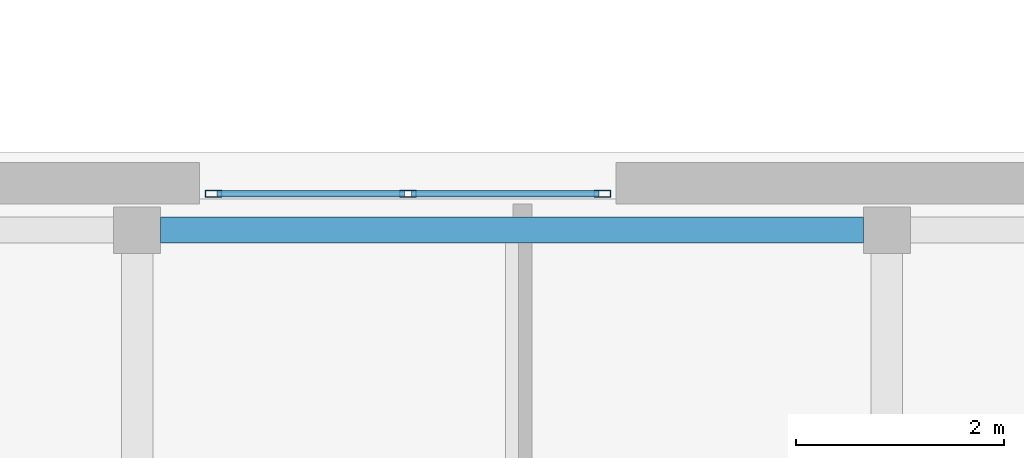
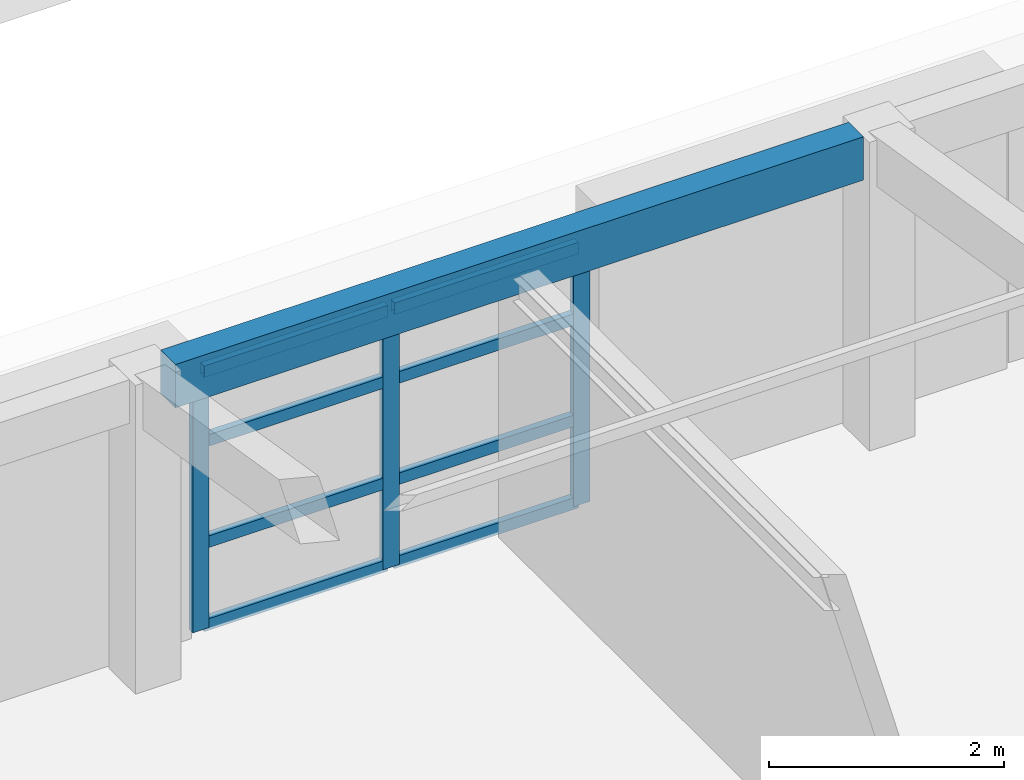
# One storey, part 5 of 128: 11 members, 1 beam, 1 element without a shape of its own.
"""IFC4 building model written with IfcOpenShell, lengths in metres."""

from ifc_helpers import new_model, si_unit, direction, frame, origin, origin_2d, place, context, subcontext, project, spatial, rectangle, hollow_rectangle, extrude, material, layer, layer_set, material_profile, profile_set, type_object, element, aggregate, save


model = new_model("IFC4")

# Units and contexts
model_context = context("Model", 3, precision=1e-05, world=origin(), true_north=direction((0.0, 1.0)))
body_context = subcontext(model_context, "Body", "Model", "MODEL_VIEW")
ifc_project = project(units=[si_unit("LENGTHUNIT", "METRE"), si_unit("AREAUNIT", "SQUARE_METRE"), si_unit("VOLUMEUNIT", "CUBIC_METRE"), si_unit("PLANEANGLEUNIT", "RADIAN"), si_unit("MASSUNIT", "GRAM", prefix="KILO")], contexts=[model_context])

# Site, building, storey
site_placement = place(None, origin())
site = spatial("IfcSite", under=ifc_project, at=site_placement, CompositionType="ELEMENT")
building_placement = place(site_placement, origin())
building = spatial("IfcBuilding", under=site, at=building_placement, Name="Keldmere Railside Commons", CompositionType="ELEMENT")
storey_placement = place(building_placement, frame((0.0, 0.0, 4.159912109375)))
storey = spatial("IfcBuildingStorey", under=building, at=storey_placement, Name="L01", CompositionType="ELEMENT", Elevation=4.159912109375)

# Beam
ifc_material_1 = material(Name="Architectural Precast Concrete H-35 (C35/45)", Category="concrete")
ifc_material_profile_1 = material_profile(ifc_material_1, rectangle(XDim=0.25, YDim=0.449951171875, at=origin_2d()), Name="RC-250x450")
ifc_profile_set_1 = profile_set([ifc_material_profile_1], Name="Architectural Precast Concrete H-35 (C35/45)")
beam_type = type_object("IfcBeamType", Name="Perimeter Precast Spandrel Beam 250x450", PredefinedType="SPANDREL", material=ifc_profile_set_1)
beam_placement = place(storey_placement, frame((17.02490234375, 39.550048828125, 2.97509765625), z_axis=(1.0, 0.0, 0.0), x_axis=(0.0, 1.0, 0.0)))
element("IfcBeam", 1, at=beam_placement, inside=storey, type_object=beam_type, Name="SPB-1 BM-L01-0771", PredefinedType="SPANDREL", context=body_context, shape_type="SweptSolid", body=[
    extrude(rectangle(XDim=0.25, YDim=0.449951171875, at=origin_2d()), origin(), (0.0, 0.0, 1.0), 6.75),
])

# Curtain wall, members
ifc_material_2 = material(Name="Thermally Broken Aluminium", Category="aluminium")
ifc_layer = layer(ifc_material_2, 0.159912109375, Name="Nursery Upper Sunroom CW 3800x2700")
ifc_layer_set = layer_set([ifc_layer], Name="Thermally Broken Aluminium")
curtain_wall_type = type_object("IfcCurtainWallType", Name="Nursery Upper Sunroom CW 3800x2700", PredefinedType="NOTDEFINED", material=ifc_layer_set)
curtain_wall_placement = place(storey_placement, origin())
curtain_wall = element("IfcCurtainWall", 2, at=curtain_wall_placement, inside=storey, type_object=curtain_wall_type, Name="CW-09 CW-L01-201", PredefinedType="NOTDEFINED")
ifc_material_profile_2 = material_profile(ifc_material_2, hollow_rectangle(XDim=0.06494140625, YDim=0.159912109375, WallThickness=0.00390625, at=origin_2d()), Name="ALU-MULL-65x160")
ifc_profile_set_2 = profile_set([ifc_material_profile_2], Name="Thermally Broken Aluminium")
member_type_1 = type_object("IfcMemberType", Name="Unitised Curtain Wall Mullion 65x160", PredefinedType="MULLION", material=ifc_profile_set_2)
member_1_placement = place(storey_placement, frame((17.532470703125, 39.89990234375, 0.0), z_axis=(0.0, 0.0, 1.0), x_axis=(0.0, 1.0, 0.0)))
member_1 = element("IfcMember", 3, at=member_1_placement, type_object=member_type_1, Name="CW-09 mullion 1", PredefinedType="MULLION", context=body_context, shape_type="SweptSolid", body=[
    extrude(hollow_rectangle(XDim=0.06494140625, YDim=0.159912109375, WallThickness=0.00390625, at=origin_2d()), origin(), (0.0, 0.0, 1.0), 2.7001953125),
])
member_2_placement = place(storey_placement, frame((19.39990234375, 39.89990234375, 0.0), z_axis=(0.0, 0.0, 1.0), x_axis=(0.0, 1.0, 0.0)))
member_2 = element("IfcMember", 4, at=member_2_placement, type_object=member_type_1, Name="CW-09 mullion 2", PredefinedType="MULLION", context=body_context, shape_type="SweptSolid", body=[
    extrude(hollow_rectangle(XDim=0.06494140625, YDim=0.159912109375, WallThickness=0.00390625, at=origin_2d()), origin(), (0.0, 0.0, 1.0), 2.7001953125),
])
member_3_placement = place(storey_placement, frame((21.267578125, 39.89990234375, 0.0), z_axis=(0.0, 0.0, 1.0), x_axis=(0.0, 1.0, 0.0)))
member_3 = element("IfcMember", 5, at=member_3_placement, type_object=member_type_1, Name="CW-09 mullion 3", PredefinedType="MULLION", context=body_context, shape_type="SweptSolid", body=[
    extrude(hollow_rectangle(XDim=0.06494140625, YDim=0.159912109375, WallThickness=0.00390625, at=origin_2d()), origin(), (0.0, 0.0, 1.0), 2.7001953125),
])
ifc_material_profile_3 = material_profile(ifc_material_2, hollow_rectangle(XDim=0.06494140625, YDim=0.1201171875, WallThickness=0.00390625, at=origin_2d()), Name="ALU-TRAN-65x120")
ifc_profile_set_3 = profile_set([ifc_material_profile_3], Name="Thermally Broken Aluminium")
member_type_2 = type_object("IfcMemberType", Name="Unitised Curtain Wall Transom 65x120", PredefinedType="USERDEFINED", material=ifc_profile_set_3)
member_4_placement = place(storey_placement, frame((17.56494140625, 39.89990234375, 0.032470703125), z_axis=(1.0, 0.0, 0.0), x_axis=(0.0, 1.0, 0.0)))
member_4 = element("IfcMember", 6, at=member_4_placement, type_object=member_type_2, Name="CW-09 transom 1.1", ObjectType="TRANSOM", PredefinedType="USERDEFINED", context=body_context, shape_type="SweptSolid", body=[
    extrude(hollow_rectangle(XDim=0.06494140625, YDim=0.1201171875, WallThickness=0.00390625, at=origin_2d()), origin(), (0.0, 0.0, 1.0), 1.802490234375),
])
member_5_placement = place(storey_placement, frame((17.56494140625, 39.89990234375, 0.89013671875), z_axis=(1.0, 0.0, 0.0), x_axis=(0.0, 1.0, 0.0)))
member_5 = element("IfcMember", 7, at=member_5_placement, type_object=member_type_2, Name="CW-09 transom 1.2", ObjectType="TRANSOM", PredefinedType="USERDEFINED", context=body_context, shape_type="SweptSolid", body=[
    extrude(hollow_rectangle(XDim=0.06494140625, YDim=0.1201171875, WallThickness=0.00390625, at=origin_2d()), origin(), (0.0, 0.0, 1.0), 1.802490234375),
])
member_6_placement = place(storey_placement, frame((17.56494140625, 39.89990234375, 1.940185546875), z_axis=(1.0, 0.0, 0.0), x_axis=(0.0, 1.0, 0.0)))
member_6 = element("IfcMember", 8, at=member_6_placement, type_object=member_type_2, Name="CW-09 transom 1.3", ObjectType="TRANSOM", PredefinedType="USERDEFINED", context=body_context, shape_type="SweptSolid", body=[
    extrude(hollow_rectangle(XDim=0.06494140625, YDim=0.1201171875, WallThickness=0.00390625, at=origin_2d()), origin(), (0.0, 0.0, 1.0), 1.802490234375),
])
member_7_placement = place(storey_placement, frame((17.56494140625, 39.89990234375, 2.66748046875), z_axis=(1.0, 0.0, 0.0), x_axis=(0.0, 1.0, 0.0)))
member_7 = element("IfcMember", 9, at=member_7_placement, type_object=member_type_2, Name="CW-09 transom 1.4", ObjectType="TRANSOM", PredefinedType="USERDEFINED", context=body_context, shape_type="SweptSolid", body=[
    extrude(hollow_rectangle(XDim=0.06494140625, YDim=0.1201171875, WallThickness=0.00390625, at=origin_2d()), origin(), (0.0, 0.0, 1.0), 1.802490234375),
])
member_8_placement = place(storey_placement, frame((19.4326171875, 39.89990234375, 0.032470703125), z_axis=(1.0, 0.0, 0.0), x_axis=(0.0, 1.0, 0.0)))
member_8 = element("IfcMember", 10, at=member_8_placement, type_object=member_type_2, Name="CW-09 transom 2.1", ObjectType="TRANSOM", PredefinedType="USERDEFINED", context=body_context, shape_type="SweptSolid", body=[
    extrude(hollow_rectangle(XDim=0.06494140625, YDim=0.1201171875, WallThickness=0.00390625, at=origin_2d()), origin(), (0.0, 0.0, 1.0), 1.802490234375),
])
member_9_placement = place(storey_placement, frame((19.4326171875, 39.89990234375, 0.89013671875), z_axis=(1.0, 0.0, 0.0), x_axis=(0.0, 1.0, 0.0)))
member_9 = element("IfcMember", 11, at=member_9_placement, type_object=member_type_2, Name="CW-09 transom 2.2", ObjectType="TRANSOM", PredefinedType="USERDEFINED", context=body_context, shape_type="SweptSolid", body=[
    extrude(hollow_rectangle(XDim=0.06494140625, YDim=0.1201171875, WallThickness=0.00390625, at=origin_2d()), origin(), (0.0, 0.0, 1.0), 1.802490234375),
])
member_10_placement = place(storey_placement, frame((19.4326171875, 39.89990234375, 1.940185546875), z_axis=(1.0, 0.0, 0.0), x_axis=(0.0, 1.0, 0.0)))
member_10 = element("IfcMember", 12, at=member_10_placement, type_object=member_type_2, Name="CW-09 transom 2.3", ObjectType="TRANSOM", PredefinedType="USERDEFINED", context=body_context, shape_type="SweptSolid", body=[
    extrude(hollow_rectangle(XDim=0.06494140625, YDim=0.1201171875, WallThickness=0.00390625, at=origin_2d()), origin(), (0.0, 0.0, 1.0), 1.802490234375),
])
member_11_placement = place(storey_placement, frame((19.4326171875, 39.89990234375, 2.66748046875), z_axis=(1.0, 0.0, 0.0), x_axis=(0.0, 1.0, 0.0)))
member_11 = element("IfcMember", 13, at=member_11_placement, type_object=member_type_2, Name="CW-09 transom 2.4", ObjectType="TRANSOM", PredefinedType="USERDEFINED", context=body_context, shape_type="SweptSolid", body=[
    extrude(hollow_rectangle(XDim=0.06494140625, YDim=0.1201171875, WallThickness=0.00390625, at=origin_2d()), origin(), (0.0, 0.0, 1.0), 1.802490234375),
])
aggregate(curtain_wall, [member_1, member_2, member_3, member_4, member_5, member_6, member_7, member_8, member_9, member_10, member_11])

save(model, "model.ifc")
